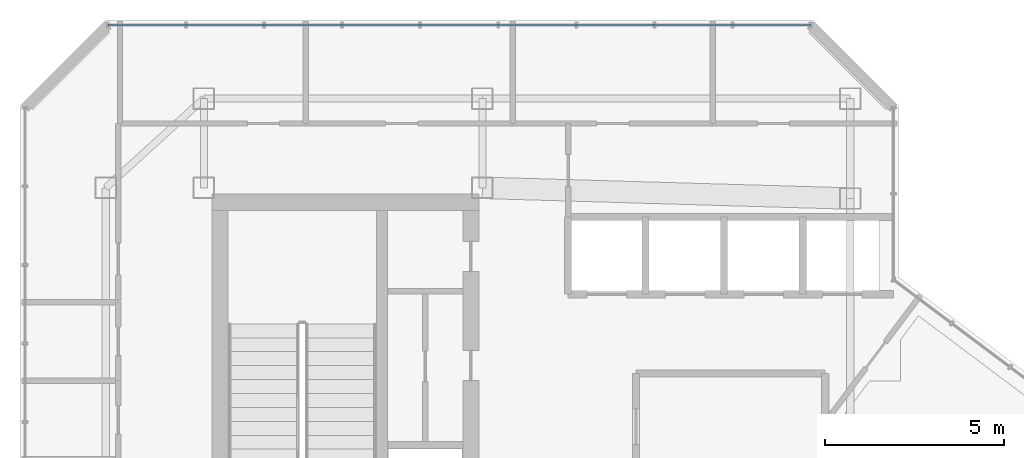
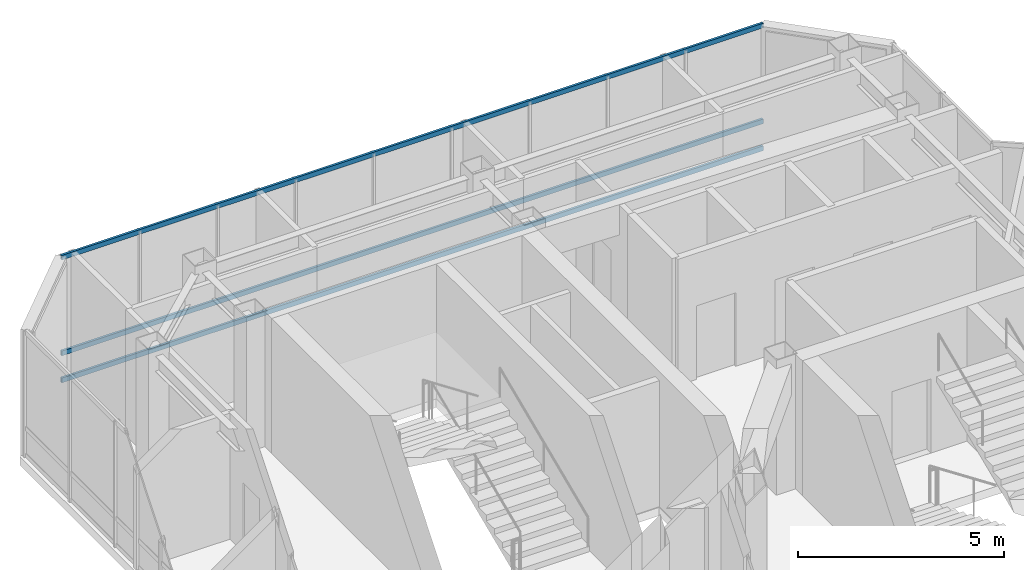
# One storey, part 22 of 29: 3 members, 1 element without a shape of its own.
"""IFC4 building model written with IfcOpenShell, lengths in metres."""

from ifc_helpers import new_model, si_unit, direction, frame, origin, origin_2d, place, context, subcontext, project, spatial, hollow_rectangle, extrude, material, layer, layer_set, material_profile, profile_set, type_object, element, aggregate, save


model = new_model("IFC4")

# Units and contexts
model_context = context("Model", 3, precision=1e-05, world=origin(), true_north=direction((0.0, 1.0)))
body_context = subcontext(model_context, "Body", "Model", "MODEL_VIEW")
ifc_project = project(units=[si_unit("LENGTHUNIT", "METRE"), si_unit("AREAUNIT", "SQUARE_METRE"), si_unit("VOLUMEUNIT", "CUBIC_METRE"), si_unit("PLANEANGLEUNIT", "RADIAN"), si_unit("MASSUNIT", "GRAM", prefix="KILO")], contexts=[model_context])

# Site, building, storey
site_placement = place(None, origin())
site = spatial("IfcSite", under=ifc_project, at=site_placement, CompositionType="ELEMENT")
building_placement = place(site_placement, origin())
building = spatial("IfcBuilding", under=site, at=building_placement, Name="Hatsunagi Terrace Concourse", CompositionType="ELEMENT")
storey_placement = place(building_placement, frame((0.0, 0.0, 277.949951171875)))
storey = spatial("IfcBuildingStorey", under=building, at=storey_placement, Name="L73", CompositionType="ELEMENT", Elevation=277.949951171875)

# Curtain wall, members
ifc_material_1 = material(Name="Anodised Aluminium Alloy 6063-T5", Category="aluminium")
ifc_layer = layer(ifc_material_1, 0.199951171875)
ifc_layer_set = layer_set([ifc_layer], Name="CrownWintergarden_CW06")
curtain_wall_type = type_object("IfcCurtainWallType", Name="CrownWintergarden_CW06", PredefinedType="NOTDEFINED", material=ifc_layer_set)
curtain_wall_placement = place(storey_placement, origin())
curtain_wall = element("IfcCurtainWall", 1, at=curtain_wall_placement, inside=storey, type_object=curtain_wall_type, Name="Unitised Curtain Wall CW-06 CW-L73-09", PredefinedType="NOTDEFINED")
ifc_material_2 = material(Name="Anodised Aluminium Alloy 6063-T5", Category="aluminium")
ifc_material_profile = material_profile(ifc_material_2, hollow_rectangle(XDim=0.06494140625, YDim=0.139892578125, WallThickness=0.00390625, at=origin_2d()), Name="ALU-TRN-140x65x4")
ifc_profile_set = profile_set([ifc_material_profile], Name="Anodised Aluminium Alloy 6063-T5")
member_type = type_object("IfcMemberType", Name="CurtainWallTransom_140x65", PredefinedType="USERDEFINED", material=ifc_profile_set)
member_1_placement = place(storey_placement, frame((22.85791015625, 47.860107421875, 0.050048828125), z_axis=(1.0, 0.0, 0.0), x_axis=(0.0, 1.0, 0.0)))
member_1 = element("IfcMember", 2, at=member_1_placement, type_object=member_type, Name="Curtain Wall Transom TRN-02", ObjectType="TRANSOM", PredefinedType="USERDEFINED", context=body_context, shape_type="SweptSolid", body=[
    extrude(hollow_rectangle(XDim=0.06494140625, YDim=0.139892578125, WallThickness=0.00390625, at=origin_2d()), origin(), (0.0, 0.0, 1.0), 19.68408203125),
])
member_2_placement = place(storey_placement, frame((22.85791015625, 47.860107421875, 0.85009765625), z_axis=(1.0, 0.0, 0.0), x_axis=(0.0, 1.0, 0.0)))
member_2 = element("IfcMember", 3, at=member_2_placement, type_object=member_type, Name="Curtain Wall Transom TRN-02", ObjectType="TRANSOM", PredefinedType="USERDEFINED", context=body_context, shape_type="SweptSolid", body=[
    extrude(hollow_rectangle(XDim=0.06494140625, YDim=0.139892578125, WallThickness=0.00390625, at=origin_2d()), origin(), (0.0, 0.0, 1.0), 19.68408203125),
])
member_3_placement = place(storey_placement, frame((22.85791015625, 47.860107421875, 3.68994140625), z_axis=(1.0, 0.0, 0.0), x_axis=(0.0, 1.0, 0.0)))
member_3 = element("IfcMember", 4, at=member_3_placement, type_object=member_type, Name="Curtain Wall Transom TRN-02", ObjectType="TRANSOM", PredefinedType="USERDEFINED", context=body_context, shape_type="SweptSolid", body=[
    extrude(hollow_rectangle(XDim=0.06494140625, YDim=0.139892578125, WallThickness=0.00390625, at=origin_2d()), origin(), (0.0, 0.0, 1.0), 19.68408203125),
])
aggregate(curtain_wall, [member_1, member_2, member_3])

save(model, "model.ifc")
